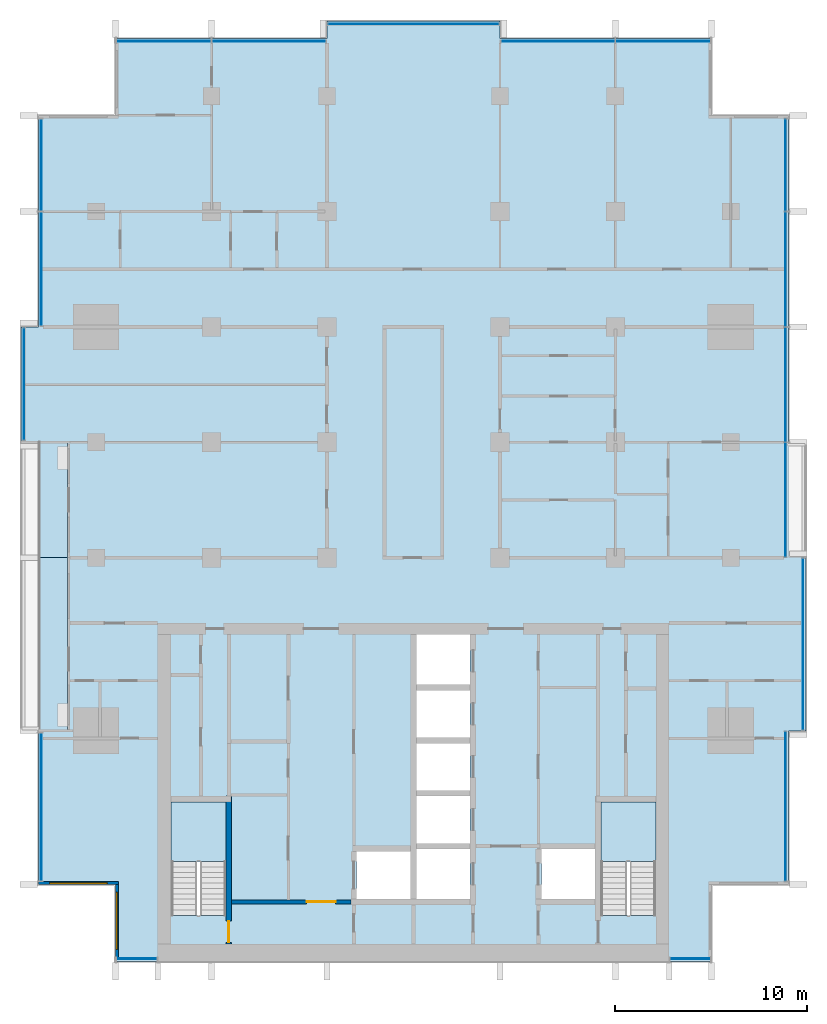
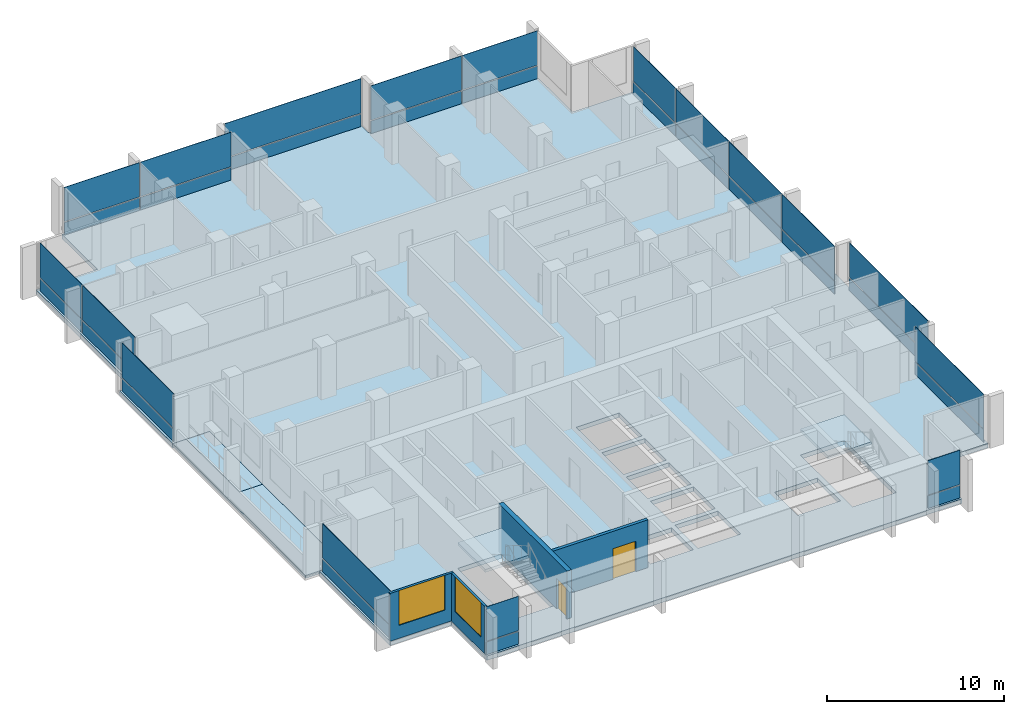
# One storey, part 6 of 16: 34 plates, 5 slabs, 4 walls, 2 doors, 2 windows, 4 openings, 13 elements without a shape of their own.
"""IFC4 building model written with IfcOpenShell, lengths in metres."""

from ifc_helpers import new_model, si_unit, direction, frame, frame_2d, origin, origin_2d, place, context, subcontext, project, spatial, polyline, rectangle, outline, extrude, material, layer, layer_set, type_object, element, fill, aggregate, save


model = new_model("IFC4")

# Units and contexts
model_context = context("Model", 3, precision=1e-05, world=origin(), true_north=direction((0.0, 1.0)))
body_context = subcontext(model_context, "Body", "Model", "MODEL_VIEW")
ifc_project = project(units=[si_unit("LENGTHUNIT", "METRE"), si_unit("AREAUNIT", "SQUARE_METRE"), si_unit("VOLUMEUNIT", "CUBIC_METRE"), si_unit("PLANEANGLEUNIT", "RADIAN"), si_unit("MASSUNIT", "GRAM", prefix="KILO")], contexts=[model_context])

# Site, building, storey
site_placement = place(None, origin())
site = spatial("IfcSite", under=ifc_project, at=site_placement, CompositionType="ELEMENT")
building_placement = place(site_placement, origin())
building = spatial("IfcBuilding", under=site, at=building_placement, Name="Finial Court Residences", CompositionType="ELEMENT")
storey_placement = place(building_placement, frame((0.0, 0.0, 188.89990234375)))
storey = spatial("IfcBuildingStorey", under=building, at=storey_placement, Name="L47", CompositionType="ELEMENT", Elevation=188.89990234375)

# Slabs
ifc_material_1 = material(Name="Concrete C35/45", Category="concrete")
ifc_layer_1 = layer(ifc_material_1, 0.199951171875)
ifc_layer_set_1 = layer_set([ifc_layer_1], Name="Balcony slab, Concrete C35/45 200")
slab_type_1 = type_object("IfcSlabType", Name="Balcony slab, Concrete C35/45 200", PredefinedType="FLOOR", material=ifc_layer_set_1)
slab_1_placement = place(storey_placement, frame((0.0, 0.0, -0.199951171875)))
element("IfcSlab", 1, at=slab_1_placement, inside=storey, type_object=slab_type_1, Name="Balcony L47-W2", PredefinedType="FLOOR", context=body_context, shape_type="SweptSolid", body=[
    extrude(outline(polyline([(-18.0, -4.5), (-18.0, -13.5), (-19.5, -13.5), (-20.39990234375, -13.5), (-20.39990234375, -4.5), (-20.39990234375, 1.5), (-19.5, 1.5), (-19.5, -4.5), (-18.0, -4.5)])), origin(), (0.0, 0.0, 1.0), 0.199951171875),
])
slab_2_placement = place(storey_placement, frame((0.0, 0.0, -0.199951171875)))
element("IfcSlab", 2, at=slab_2_placement, inside=storey, type_object=slab_type_1, Name="Balcony L47-W3", PredefinedType="FLOOR", context=body_context, shape_type="SweptSolid", body=[
    extrude(outline(polyline([(-18.0, -4.5), (-18.0, 1.5), (-19.5, 1.5), (-19.5, -4.5), (-18.0, -4.5)])), origin(), (0.0, 0.0, 1.0), 0.199951171875),
])

# Curtain wall, plates
ifc_material_2 = material(Name="Bronze anodised aluminium", Category="aluminium")
curtain_wall_type = type_object("IfcCurtainWallType", Name="Unitised curtain wall, upper zones", PredefinedType="NOTDEFINED", material=ifc_material_2)
curtain_wall_1_placement = place(storey_placement, origin())
curtain_wall_1 = element("IfcCurtainWall", 3, at=curtain_wall_1_placement, inside=storey, type_object=curtain_wall_type, Name="E-L47-CW-N1", PredefinedType="NOTDEFINED")
ifc_layer_2 = layer(ifc_material_2, 0.035888671875)
ifc_layer_set_2 = layer_set([ifc_layer_2], Name="CW2 spandrel panel 36")
plate_type_1 = type_object("IfcPlateType", Name="CW2 spandrel panel 36", PredefinedType="CURTAIN_PANEL", material=ifc_layer_set_2)
plate_1_placement = place(storey_placement, frame((-12.985107421875, 22.35009765625, 0.0), z_axis=(0.0, 0.0, 1.0), x_axis=(1.0, 0.0, 0.0)))
plate_1 = element("IfcPlate", 4, at=plate_1_placement, type_object=plate_type_1, Name="CW2 spandrel 1.1", PredefinedType="CURTAIN_PANEL", context=body_context, shape_type="SweptSolid", body=[
    extrude(rectangle(XDim=4.909912109375, YDim=0.035888671875, at=origin_2d()), origin(), (0.0, 0.0, 1.0), 0.8701171875),
])
plate_2_placement = place(storey_placement, frame((-7.514892578125, 22.35009765625, 0.0), z_axis=(0.0, 0.0, 1.0), x_axis=(1.0, 0.0, 0.0)))
plate_2 = element("IfcPlate", 5, at=plate_2_placement, type_object=plate_type_1, Name="CW2 spandrel 2.1", PredefinedType="CURTAIN_PANEL", context=body_context, shape_type="SweptSolid", body=[
    extrude(rectangle(XDim=5.909912109375, YDim=0.035888671875, at=origin_2d()), origin(), (0.0, 0.0, 1.0), 0.8701171875),
])

# Curtain wall, plate
curtain_wall_2_placement = place(storey_placement, origin())
curtain_wall_2 = element("IfcCurtainWall", 6, at=curtain_wall_2_placement, inside=storey, type_object=curtain_wall_type, Name="E-L47-CW-N2", PredefinedType="NOTDEFINED")
plate_3_placement = place(storey_placement, frame((0.0, 23.25, 0.0), z_axis=(0.0, 0.0, 1.0), x_axis=(1.0, 0.0, 0.0)))
plate_3 = element("IfcPlate", 7, at=plate_3_placement, type_object=plate_type_1, Name="CW2 spandrel 1.1", PredefinedType="CURTAIN_PANEL", context=body_context, shape_type="SweptSolid", body=[
    extrude(rectangle(XDim=8.8798828125, YDim=0.035888671875, at=origin_2d()), origin(), (0.0, 0.0, 1.0), 0.8701171875),
])

# Curtain wall, plates
curtain_wall_3_placement = place(storey_placement, origin())
curtain_wall_3 = element("IfcCurtainWall", 8, at=curtain_wall_3_placement, inside=storey, type_object=curtain_wall_type, Name="E-L47-CW-N3", PredefinedType="NOTDEFINED")
plate_4_placement = place(storey_placement, frame((7.514892578125, 22.35009765625, 0.0), z_axis=(0.0, 0.0, 1.0), x_axis=(1.0, 0.0, 0.0)))
plate_4 = element("IfcPlate", 9, at=plate_4_placement, type_object=plate_type_1, Name="CW2 spandrel 1.1", PredefinedType="CURTAIN_PANEL", context=body_context, shape_type="SweptSolid", body=[
    extrude(rectangle(XDim=5.909912109375, YDim=0.035888671875, at=origin_2d()), origin(), (0.0, 0.0, 1.0), 0.8701171875),
])
plate_5_placement = place(storey_placement, frame((12.985107421875, 22.35009765625, 0.0), z_axis=(0.0, 0.0, 1.0), x_axis=(1.0, 0.0, 0.0)))
plate_5 = element("IfcPlate", 10, at=plate_5_placement, type_object=plate_type_1, Name="CW2 spandrel 2.1", PredefinedType="CURTAIN_PANEL", context=body_context, shape_type="SweptSolid", body=[
    extrude(rectangle(XDim=4.909912109375, YDim=0.035888671875, at=origin_2d()), origin(), (0.0, 0.0, 1.0), 0.8701171875),
])

# Curtain wall, plate
curtain_wall_4_placement = place(storey_placement, origin())
curtain_wall_4 = element("IfcCurtainWall", 11, at=curtain_wall_4_placement, inside=storey, type_object=curtain_wall_type, Name="E-L47-CW-E4", PredefinedType="NOTDEFINED")
plate_6_placement = place(storey_placement, frame((19.35009765625, -17.425048828125, 0.0), z_axis=(0.0, 0.0, 1.0), x_axis=(0.0, 1.0, 0.0)))
plate_6 = element("IfcPlate", 12, at=plate_6_placement, type_object=plate_type_1, Name="CW2 spandrel 1.1", PredefinedType="CURTAIN_PANEL", context=body_context, shape_type="SweptSolid", body=[
    extrude(rectangle(XDim=7.72998046875, YDim=0.035888671875, at=origin_2d()), origin(), (0.0, 0.0, 1.0), 0.8701171875),
])

curtain_wall_5_placement = place(storey_placement, origin())
curtain_wall_5 = element("IfcCurtainWall", 13, at=curtain_wall_5_placement, inside=storey, type_object=curtain_wall_type, Name="E-L47-CW-E5", PredefinedType="NOTDEFINED")
plate_7_placement = place(storey_placement, frame((20.25, -9.0, 0.0), z_axis=(0.0, 0.0, 1.0), x_axis=(0.0, 1.0, 0.0)))
plate_7 = element("IfcPlate", 14, at=plate_7_placement, type_object=plate_type_1, Name="CW2 spandrel 1.1", PredefinedType="CURTAIN_PANEL", context=body_context, shape_type="SweptSolid", body=[
    extrude(rectangle(XDim=8.8798828125, YDim=0.035888671875, at=origin_2d()), origin(), (0.0, 0.0, 1.0), 0.8701171875),
])

# Curtain wall, plates
curtain_wall_6_placement = place(storey_placement, origin())
curtain_wall_6 = element("IfcCurtainWall", 15, at=curtain_wall_6_placement, inside=storey, type_object=curtain_wall_type, Name="E-L47-CW-E6", PredefinedType="NOTDEFINED")
plate_8_placement = place(storey_placement, frame((19.35009765625, -1.485107421875, 0.0), z_axis=(0.0, 0.0, 1.0), x_axis=(0.0, 1.0, 0.0)))
plate_8 = element("IfcPlate", 16, at=plate_8_placement, type_object=plate_type_1, Name="CW2 spandrel 1.1", PredefinedType="CURTAIN_PANEL", context=body_context, shape_type="SweptSolid", body=[
    extrude(rectangle(XDim=5.909912109375, YDim=0.035888671875, at=origin_2d()), origin(), (0.0, 0.0, 1.0), 0.8701171875),
])
plate_9_placement = place(storey_placement, frame((19.35009765625, 4.5, 0.0), z_axis=(0.0, 0.0, 1.0), x_axis=(0.0, 1.0, 0.0)))
plate_9 = element("IfcPlate", 17, at=plate_9_placement, type_object=plate_type_1, Name="CW2 spandrel 2.1", PredefinedType="CURTAIN_PANEL", context=body_context, shape_type="SweptSolid", body=[
    extrude(rectangle(XDim=5.93994140625, YDim=0.035888671875, at=origin_2d()), origin(), (0.0, 0.0, 1.0), 0.8701171875),
])
plate_10_placement = place(storey_placement, frame((19.35009765625, 10.5, 0.0), z_axis=(0.0, 0.0, 1.0), x_axis=(0.0, 1.0, 0.0)))
plate_10 = element("IfcPlate", 18, at=plate_10_placement, type_object=plate_type_1, Name="CW2 spandrel 3.1", PredefinedType="CURTAIN_PANEL", context=body_context, shape_type="SweptSolid", body=[
    extrude(rectangle(XDim=5.93994140625, YDim=0.035888671875, at=origin_2d()), origin(), (0.0, 0.0, 1.0), 0.8701171875),
])
plate_11_placement = place(storey_placement, frame((19.35009765625, 15.909912109375, 0.0), z_axis=(0.0, 0.0, 1.0), x_axis=(0.0, 1.0, 0.0)))
plate_11 = element("IfcPlate", 19, at=plate_11_placement, type_object=plate_type_1, Name="CW2 spandrel 4.1", PredefinedType="CURTAIN_PANEL", context=body_context, shape_type="SweptSolid", body=[
    extrude(rectangle(XDim=4.760009765625, YDim=0.035888671875, at=origin_2d()), origin(), (0.0, 0.0, 1.0), 0.8701171875),
])

# Curtain wall, plate
curtain_wall_7_placement = place(storey_placement, origin())
curtain_wall_7 = element("IfcCurtainWall", 20, at=curtain_wall_7_placement, inside=storey, type_object=curtain_wall_type, Name="E-L47-CW-S7", PredefinedType="NOTDEFINED")
plate_12_placement = place(storey_placement, frame((-14.39990234375, -25.35009765625, 0.0), z_axis=(0.0, 0.0, 1.0), x_axis=(1.0, 0.0, 0.0)))
plate_12 = element("IfcPlate", 21, at=plate_12_placement, type_object=plate_type_1, Name="CW2 spandrel 1.1", PredefinedType="CURTAIN_PANEL", context=body_context, shape_type="SweptSolid", body=[
    extrude(rectangle(XDim=2.080078125, YDim=0.035888671875, at=origin_2d()), origin(), (0.0, 0.0, 1.0), 0.8701171875),
])

curtain_wall_8_placement = place(storey_placement, origin())
curtain_wall_8 = element("IfcCurtainWall", 22, at=curtain_wall_8_placement, inside=storey, type_object=curtain_wall_type, Name="E-L47-CW-S8", PredefinedType="NOTDEFINED")
plate_13_placement = place(storey_placement, frame((14.39990234375, -25.35009765625, 0.0), z_axis=(0.0, 0.0, 1.0), x_axis=(1.0, 0.0, 0.0)))
plate_13 = element("IfcPlate", 23, at=plate_13_placement, type_object=plate_type_1, Name="CW2 spandrel 1.1", PredefinedType="CURTAIN_PANEL", context=body_context, shape_type="SweptSolid", body=[
    extrude(rectangle(XDim=2.080078125, YDim=0.035888671875, at=origin_2d()), origin(), (0.0, 0.0, 1.0), 0.8701171875),
])

curtain_wall_9_placement = place(storey_placement, origin())
curtain_wall_9 = element("IfcCurtainWall", 24, at=curtain_wall_9_placement, inside=storey, type_object=curtain_wall_type, Name="E-L47-CW-W9", PredefinedType="NOTDEFINED")
plate_14_placement = place(storey_placement, frame((-19.35009765625, -17.46240234375, 0.0), z_axis=(0.0, 0.0, 1.0), x_axis=(0.0, 1.0, 0.0)))
plate_14 = element("IfcPlate", 25, at=plate_14_placement, type_object=plate_type_1, Name="CW2 spandrel 1.1", PredefinedType="CURTAIN_PANEL", context=body_context, shape_type="SweptSolid", body=[
    extrude(rectangle(XDim=7.655029296875, YDim=0.035888671875, at=origin_2d()), origin(), (0.0, 0.0, 1.0), 0.8701171875),
])

curtain_wall_10_placement = place(storey_placement, origin())
curtain_wall_10 = element("IfcCurtainWall", 26, at=curtain_wall_10_placement, inside=storey, type_object=curtain_wall_type, Name="E-L47-CW-W10", PredefinedType="NOTDEFINED")
plate_15_placement = place(storey_placement, frame((-20.25, 4.53759765625, 0.0), z_axis=(0.0, 0.0, 1.0), x_axis=(0.0, 1.0, 0.0)))
plate_15 = element("IfcPlate", 27, at=plate_15_placement, type_object=plate_type_1, Name="CW2 spandrel 1.1", PredefinedType="CURTAIN_PANEL", context=body_context, shape_type="SweptSolid", body=[
    extrude(rectangle(XDim=5.804931640625, YDim=0.035888671875, at=origin_2d()), origin(), (0.0, 0.0, 1.0), 0.8701171875),
])

# Curtain wall, plates
curtain_wall_11_placement = place(storey_placement, origin())
curtain_wall_11 = element("IfcCurtainWall", 28, at=curtain_wall_11_placement, inside=storey, type_object=curtain_wall_type, Name="E-L47-CW-W11", PredefinedType="NOTDEFINED")
plate_16_placement = place(storey_placement, frame((-19.35009765625, 10.514892578125, 0.0), z_axis=(0.0, 0.0, 1.0), x_axis=(0.0, 1.0, 0.0)))
plate_16 = element("IfcPlate", 29, at=plate_16_placement, type_object=plate_type_1, Name="CW2 spandrel 1.1", PredefinedType="CURTAIN_PANEL", context=body_context, shape_type="SweptSolid", body=[
    extrude(rectangle(XDim=5.909912109375, YDim=0.035888671875, at=origin_2d()), origin(), (0.0, 0.0, 1.0), 0.8701171875),
])
plate_17_placement = place(storey_placement, frame((-19.35009765625, 15.909912109375, 0.0), z_axis=(0.0, 0.0, 1.0), x_axis=(0.0, 1.0, 0.0)))
plate_17 = element("IfcPlate", 30, at=plate_17_placement, type_object=plate_type_1, Name="CW2 spandrel 2.1", PredefinedType="CURTAIN_PANEL", context=body_context, shape_type="SweptSolid", body=[
    extrude(rectangle(XDim=4.760009765625, YDim=0.035888671875, at=origin_2d()), origin(), (0.0, 0.0, 1.0), 0.8701171875),
])

# Plate
ifc_material_3 = material(Name="Clear low-e glass", Category="glass")
ifc_layer_3 = layer(ifc_material_3, 0.030029296875)
ifc_layer_set_3 = layer_set([ifc_layer_3], Name="CW2 vision glass 30")
plate_type_2 = type_object("IfcPlateType", Name="CW2 vision glass 30", PredefinedType="CURTAIN_PANEL", material=ifc_layer_set_3)
plate_18_placement = place(storey_placement, frame((-12.985107421875, 22.35009765625, 0.929931640625), z_axis=(0.0, 0.0, 1.0), x_axis=(1.0, 0.0, 0.0)))
plate_18 = element("IfcPlate", 31, at=plate_18_placement, type_object=plate_type_2, Name="CW2 glass 1.2", PredefinedType="CURTAIN_PANEL", context=body_context, shape_type="SweptSolid", body=[
    extrude(rectangle(XDim=4.909912109375, YDim=0.030029296875, at=origin_2d()), origin(), (0.0, 0.0, 1.0), 2.3701171875),
])

plate_19_placement = place(storey_placement, frame((-7.514892578125, 22.35009765625, 0.929931640625), z_axis=(0.0, 0.0, 1.0), x_axis=(1.0, 0.0, 0.0)))
plate_19 = element("IfcPlate", 32, at=plate_19_placement, type_object=plate_type_2, Name="CW2 glass 2.2", PredefinedType="CURTAIN_PANEL", context=body_context, shape_type="SweptSolid", body=[
    extrude(rectangle(XDim=5.909912109375, YDim=0.030029296875, at=origin_2d()), origin(), (0.0, 0.0, 1.0), 2.3701171875),
])

aggregate(curtain_wall_1, [plate_1, plate_18, plate_2, plate_19])

plate_20_placement = place(storey_placement, frame((0.0, 23.25, 0.929931640625), z_axis=(0.0, 0.0, 1.0), x_axis=(1.0, 0.0, 0.0)))
plate_20 = element("IfcPlate", 33, at=plate_20_placement, type_object=plate_type_2, Name="CW2 glass 1.2", PredefinedType="CURTAIN_PANEL", context=body_context, shape_type="SweptSolid", body=[
    extrude(rectangle(XDim=8.8798828125, YDim=0.030029296875, at=origin_2d()), origin(), (0.0, 0.0, 1.0), 2.3701171875),
])

aggregate(curtain_wall_2, [plate_3, plate_20])

plate_21_placement = place(storey_placement, frame((7.514892578125, 22.35009765625, 0.929931640625), z_axis=(0.0, 0.0, 1.0), x_axis=(1.0, 0.0, 0.0)))
plate_21 = element("IfcPlate", 34, at=plate_21_placement, type_object=plate_type_2, Name="CW2 glass 1.2", PredefinedType="CURTAIN_PANEL", context=body_context, shape_type="SweptSolid", body=[
    extrude(rectangle(XDim=5.909912109375, YDim=0.030029296875, at=origin_2d()), origin(), (0.0, 0.0, 1.0), 2.3701171875),
])

plate_22_placement = place(storey_placement, frame((12.985107421875, 22.35009765625, 0.929931640625), z_axis=(0.0, 0.0, 1.0), x_axis=(1.0, 0.0, 0.0)))
plate_22 = element("IfcPlate", 35, at=plate_22_placement, type_object=plate_type_2, Name="CW2 glass 2.2", PredefinedType="CURTAIN_PANEL", context=body_context, shape_type="SweptSolid", body=[
    extrude(rectangle(XDim=4.909912109375, YDim=0.030029296875, at=origin_2d()), origin(), (0.0, 0.0, 1.0), 2.3701171875),
])

aggregate(curtain_wall_3, [plate_4, plate_21, plate_5, plate_22])

plate_23_placement = place(storey_placement, frame((19.35009765625, -17.425048828125, 0.929931640625), z_axis=(0.0, 0.0, 1.0), x_axis=(0.0, 1.0, 0.0)))
plate_23 = element("IfcPlate", 36, at=plate_23_placement, type_object=plate_type_2, Name="CW2 glass 1.2", PredefinedType="CURTAIN_PANEL", context=body_context, shape_type="SweptSolid", body=[
    extrude(rectangle(XDim=7.72998046875, YDim=0.030029296875, at=origin_2d()), origin(), (0.0, 0.0, 1.0), 2.3701171875),
])

aggregate(curtain_wall_4, [plate_6, plate_23])

plate_24_placement = place(storey_placement, frame((20.25, -9.0, 0.929931640625), z_axis=(0.0, 0.0, 1.0), x_axis=(0.0, 1.0, 0.0)))
plate_24 = element("IfcPlate", 37, at=plate_24_placement, type_object=plate_type_2, Name="CW2 glass 1.2", PredefinedType="CURTAIN_PANEL", context=body_context, shape_type="SweptSolid", body=[
    extrude(rectangle(XDim=8.8798828125, YDim=0.030029296875, at=origin_2d()), origin(), (0.0, 0.0, 1.0), 2.3701171875),
])

aggregate(curtain_wall_5, [plate_7, plate_24])

plate_25_placement = place(storey_placement, frame((19.35009765625, -1.485107421875, 0.929931640625), z_axis=(0.0, 0.0, 1.0), x_axis=(0.0, 1.0, 0.0)))
plate_25 = element("IfcPlate", 38, at=plate_25_placement, type_object=plate_type_2, Name="CW2 glass 1.2", PredefinedType="CURTAIN_PANEL", context=body_context, shape_type="SweptSolid", body=[
    extrude(rectangle(XDim=5.909912109375, YDim=0.030029296875, at=origin_2d()), origin(), (0.0, 0.0, 1.0), 2.3701171875),
])

plate_26_placement = place(storey_placement, frame((19.35009765625, 4.5, 0.929931640625), z_axis=(0.0, 0.0, 1.0), x_axis=(0.0, 1.0, 0.0)))
plate_26 = element("IfcPlate", 39, at=plate_26_placement, type_object=plate_type_2, Name="CW2 glass 2.2", PredefinedType="CURTAIN_PANEL", context=body_context, shape_type="SweptSolid", body=[
    extrude(rectangle(XDim=5.93994140625, YDim=0.030029296875, at=origin_2d()), origin(), (0.0, 0.0, 1.0), 2.3701171875),
])

plate_27_placement = place(storey_placement, frame((19.35009765625, 10.5, 0.929931640625), z_axis=(0.0, 0.0, 1.0), x_axis=(0.0, 1.0, 0.0)))
plate_27 = element("IfcPlate", 40, at=plate_27_placement, type_object=plate_type_2, Name="CW2 glass 3.2", PredefinedType="CURTAIN_PANEL", context=body_context, shape_type="SweptSolid", body=[
    extrude(rectangle(XDim=5.93994140625, YDim=0.030029296875, at=origin_2d()), origin(), (0.0, 0.0, 1.0), 2.3701171875),
])

plate_28_placement = place(storey_placement, frame((19.35009765625, 15.909912109375, 0.929931640625), z_axis=(0.0, 0.0, 1.0), x_axis=(0.0, 1.0, 0.0)))
plate_28 = element("IfcPlate", 41, at=plate_28_placement, type_object=plate_type_2, Name="CW2 glass 4.2", PredefinedType="CURTAIN_PANEL", context=body_context, shape_type="SweptSolid", body=[
    extrude(rectangle(XDim=4.760009765625, YDim=0.030029296875, at=origin_2d()), origin(), (0.0, 0.0, 1.0), 2.3701171875),
])

aggregate(curtain_wall_6, [plate_8, plate_25, plate_9, plate_26, plate_10, plate_27, plate_11, plate_28])

plate_29_placement = place(storey_placement, frame((-14.39990234375, -25.35009765625, 0.929931640625), z_axis=(0.0, 0.0, 1.0), x_axis=(1.0, 0.0, 0.0)))
plate_29 = element("IfcPlate", 42, at=plate_29_placement, type_object=plate_type_2, Name="CW2 glass 1.2", PredefinedType="CURTAIN_PANEL", context=body_context, shape_type="SweptSolid", body=[
    extrude(rectangle(XDim=2.080078125, YDim=0.030029296875, at=origin_2d()), origin(), (0.0, 0.0, 1.0), 2.3701171875),
])

aggregate(curtain_wall_7, [plate_12, plate_29])

plate_30_placement = place(storey_placement, frame((14.39990234375, -25.35009765625, 0.929931640625), z_axis=(0.0, 0.0, 1.0), x_axis=(1.0, 0.0, 0.0)))
plate_30 = element("IfcPlate", 43, at=plate_30_placement, type_object=plate_type_2, Name="CW2 glass 1.2", PredefinedType="CURTAIN_PANEL", context=body_context, shape_type="SweptSolid", body=[
    extrude(rectangle(XDim=2.080078125, YDim=0.030029296875, at=origin_2d()), origin(), (0.0, 0.0, 1.0), 2.3701171875),
])

aggregate(curtain_wall_8, [plate_13, plate_30])

plate_31_placement = place(storey_placement, frame((-19.35009765625, -17.46240234375, 0.929931640625), z_axis=(0.0, 0.0, 1.0), x_axis=(0.0, 1.0, 0.0)))
plate_31 = element("IfcPlate", 44, at=plate_31_placement, type_object=plate_type_2, Name="CW2 glass 1.2", PredefinedType="CURTAIN_PANEL", context=body_context, shape_type="SweptSolid", body=[
    extrude(rectangle(XDim=7.655029296875, YDim=0.030029296875, at=origin_2d()), origin(), (0.0, 0.0, 1.0), 2.3701171875),
])

aggregate(curtain_wall_9, [plate_14, plate_31])

plate_32_placement = place(storey_placement, frame((-20.25, 4.53759765625, 0.929931640625), z_axis=(0.0, 0.0, 1.0), x_axis=(0.0, 1.0, 0.0)))
plate_32 = element("IfcPlate", 45, at=plate_32_placement, type_object=plate_type_2, Name="CW2 glass 1.2", PredefinedType="CURTAIN_PANEL", context=body_context, shape_type="SweptSolid", body=[
    extrude(rectangle(XDim=5.804931640625, YDim=0.030029296875, at=origin_2d()), origin(), (0.0, 0.0, 1.0), 2.3701171875),
])

aggregate(curtain_wall_10, [plate_15, plate_32])

plate_33_placement = place(storey_placement, frame((-19.35009765625, 10.514892578125, 0.929931640625), z_axis=(0.0, 0.0, 1.0), x_axis=(0.0, 1.0, 0.0)))
plate_33 = element("IfcPlate", 46, at=plate_33_placement, type_object=plate_type_2, Name="CW2 glass 1.2", PredefinedType="CURTAIN_PANEL", context=body_context, shape_type="SweptSolid", body=[
    extrude(rectangle(XDim=5.909912109375, YDim=0.030029296875, at=origin_2d()), origin(), (0.0, 0.0, 1.0), 2.3701171875),
])

plate_34_placement = place(storey_placement, frame((-19.35009765625, 15.909912109375, 0.929931640625), z_axis=(0.0, 0.0, 1.0), x_axis=(0.0, 1.0, 0.0)))
plate_34 = element("IfcPlate", 47, at=plate_34_placement, type_object=plate_type_2, Name="CW2 glass 2.2", PredefinedType="CURTAIN_PANEL", context=body_context, shape_type="SweptSolid", body=[
    extrude(rectangle(XDim=4.760009765625, YDim=0.030029296875, at=origin_2d()), origin(), (0.0, 0.0, 1.0), 2.3701171875),
])

aggregate(curtain_wall_11, [plate_16, plate_33, plate_17, plate_34])

# Stair, slab
ifc_material_4 = material(Name="Concrete C50/60", Category="concrete")
stair_type = type_object("IfcStairType", Name="Exit stair 22 risers of 163.6 mm", PredefinedType="HALF_TURN_STAIR", material=ifc_material_4)
stair_1_placement = place(storey_placement, origin())
stair_1 = element("IfcStair", 48, at=stair_1_placement, inside=storey, type_object=stair_type, Name="L47 Exit stair ST-1", PredefinedType="HALF_TURN_STAIR")
ifc_layer_4 = layer(ifc_material_4, 0.199951171875)
ifc_layer_set_4 = layer_set([ifc_layer_4], Name="Exit stair landing")
slab_type_2 = type_object("IfcSlabType", Name="Exit stair landing", PredefinedType="LANDING", material=ifc_layer_set_4)
slab_3_placement = place(storey_placement, frame((0.0, 0.0, 1.60009765625)))
slab_3 = element("IfcSlab", 49, at=slab_3_placement, type_object=slab_type_2, Name="ST-1 landing 1", PredefinedType="LANDING", context=body_context, shape_type="SweptSolid", body=[
    extrude(outline(polyline([(-9.75, -20.300048828125), (-9.75, -17.199951171875), (-12.60009765625, -17.199951171875), (-12.60009765625, -20.300048828125), (-9.75, -20.300048828125)])), origin(), (0.0, 0.0, 1.0), 0.199951171875),
])
aggregate(stair_1, [slab_3])

stair_2_placement = place(storey_placement, origin())
stair_2 = element("IfcStair", 50, at=stair_2_placement, inside=storey, type_object=stair_type, Name="L47 Exit stair ST-2", PredefinedType="HALF_TURN_STAIR")
slab_4_placement = place(storey_placement, frame((0.0, 0.0, 1.60009765625)))
slab_4 = element("IfcSlab", 51, at=slab_4_placement, type_object=slab_type_2, Name="ST-2 landing 1", PredefinedType="LANDING", context=body_context, shape_type="SweptSolid", body=[
    extrude(outline(polyline([(12.60009765625, -20.300048828125), (12.60009765625, -17.199951171875), (9.75, -17.199951171875), (9.75, -20.300048828125), (12.60009765625, -20.300048828125)])), origin(), (0.0, 0.0, 1.0), 0.199951171875),
])
aggregate(stair_2, [slab_4])

# Slab
ifc_material_5 = material(Name="Concrete C40/50", Category="concrete")
ifc_layer_5 = layer(ifc_material_5, 0.300048828125)
ifc_layer_set_5 = layer_set([ifc_layer_5], Name="Flat plate slab 300 Concrete C40/50")
slab_type_3 = type_object("IfcSlabType", Name="Flat plate slab 300 Concrete C40/50", PredefinedType="FLOOR", material=ifc_layer_set_5)
slab_5_placement = place(storey_placement, frame((0.0, 0.0, -0.2998046875)))
element("IfcSlab", 52, at=slab_5_placement, inside=storey, type_object=slab_type_3, Name="S:SLAB:L47", PredefinedType="FLOOR", context=body_context, shape_type="SweptSolid", body=[
    extrude(outline(polyline([(20.39990234375, 1.5), (20.39990234375, -4.5), (20.39990234375, -13.5), (19.5, -13.5), (19.5, -21.5), (15.5, -21.5), (15.5, -25.5), (-15.5, -25.5), (-15.5, -21.5), (-19.5, -21.5), (-19.5, -13.5), (-18.0, -13.5), (-18.0, -4.5), (-18.0, 1.5), (-19.5, 1.5), (-20.39990234375, 1.5), (-20.39990234375, 7.5), (-19.5, 7.5), (-19.5, 18.5), (-15.5, 18.5), (-15.5, 22.5), (-4.5, 22.5), (-4.5, 23.39990234375), (4.5, 23.39990234375), (4.5, 22.5), (15.5, 22.5), (15.5, 18.5), (19.5, 18.5), (19.5, 1.5), (20.39990234375, 1.5)]), holes=[polyline([(-0.14990234375, -19.77001953125), (-2.949951171875, -19.77001953125), (-2.949951171875, -22.25), (-0.14990234375, -22.25), (-0.14990234375, -19.77001953125)]), polyline([(2.949951171875, -19.64990234375), (0.14990234375, -19.64990234375), (0.14990234375, -22.25), (2.949951171875, -22.25), (2.949951171875, -19.64990234375)]), polyline([(9.449951171875, -19.64990234375), (6.64990234375, -19.64990234375), (6.64990234375, -22.25), (9.449951171875, -22.25), (9.449951171875, -19.64990234375)]), polyline([(-12.60009765625, -17.199951171875), (-12.60009765625, -23.09912109375), (-9.75, -23.09912109375), (-9.75, -17.199951171875), (-12.60009765625, -17.199951171875)]), polyline([(9.75, -17.199951171875), (9.75, -23.09912109375), (12.60009765625, -23.09912109375), (12.60009765625, -17.199951171875), (9.75, -17.199951171875)]), polyline([(2.949951171875, -16.89990234375), (0.14990234375, -16.89990234375), (0.14990234375, -19.35009765625), (2.949951171875, -19.35009765625), (2.949951171875, -16.89990234375)]), polyline([(2.949951171875, -14.14990234375), (0.14990234375, -14.14990234375), (0.14990234375, -16.60009765625), (2.949951171875, -16.60009765625), (2.949951171875, -14.14990234375)]), polyline([(2.949951171875, -13.85009765625), (2.949951171875, -11.39990234375), (0.14990234375, -11.39990234375), (0.14990234375, -13.85009765625), (2.949951171875, -13.85009765625)]), polyline([(2.949951171875, -11.10009765625), (2.949951171875, -8.5), (0.14990234375, -8.5), (0.14990234375, -11.10009765625), (2.949951171875, -11.10009765625)])]), origin(), (0.0, 0.0, 1.0), 0.2998046875),
])

# Wall, opening, door
ifc_material_6 = material(Name="Concrete C70/85", Category="concrete")
ifc_layer_6 = layer(ifc_material_6, 0.300048828125)
ifc_layer_set_6 = layer_set([ifc_layer_6], Name="Lift shaft and stair wall 300 Concrete C70/85")
wall_type_1 = type_object("IfcWallType", Name="Lift shaft and stair wall 300 Concrete C70/85", PredefinedType="SHEAR", material=ifc_layer_set_6)
wall_1_placement = place(storey_placement, frame((-9.60009765625, -24.60009765625, 0.0), z_axis=(0.0, 0.0, 1.0), x_axis=(0.0, 1.0, 0.0)))
wall_1 = element("IfcWall", 53, at=wall_1_placement, inside=storey, type_object=wall_type_1, Name="Core wall L47-20", PredefinedType="SHEAR", context=body_context, shape_type="SweptSolid", body=[
    extrude(rectangle(XDim=7.7001953125, YDim=0.300048828125, at=frame_2d((3.85009765625, 0.0))), origin(), (0.0, 0.0, 1.0), 3.300048828125),
])
opening_1_placement = place(wall_1_placement, frame((0.10009765625, 0.0, 0.0)))
opening_1 = element("IfcOpeningElement", 54, at=opening_1_placement, cuts=wall_1, Name="Opening L47-C20", PredefinedType="OPENING", context=body_context, shape_type="SweptSolid", body=[
    extrude(rectangle(XDim=1.10009765625, YDim=2.10009765625, at=frame_2d((0.550048828125, 1.050048828125))), frame((0.0, 0.159912109375, 0.0), z_axis=(0.0, -1.0, 0.0), x_axis=(1.0, 0.0, 0.0)), (0.0, 0.0, 1.0), 0.320068359375),
])
ifc_material_7 = material(Name="Steel fire door", Category="steel")
door_type_1 = type_object("IfcDoorType", Name="Stair door 1100 x 2100 EI 90", OperationType="NOTDEFINED", PredefinedType="DOOR", material=ifc_material_7)
door_1_placement = place(opening_1_placement, origin())
door_1 = element("IfcDoor", 55, at=door_1_placement, inside=storey, type_object=door_type_1, Name="Stair door L47-C20", OperationType="SINGLE_SWING_LEFT", OverallHeight=2.10009765625, OverallWidth=1.10009765625, PredefinedType="DOOR", context=body_context, shape_type="SweptSolid", body=[
    extrude(rectangle(XDim=1.10009765625, YDim=2.10009765625, at=frame_2d((0.550048828125, 1.050048828125))), frame((0.0, 0.02490234375, 0.0), z_axis=(0.0, -1.0, 0.0), x_axis=(1.0, 0.0, 0.0)), (0.0, 0.0, 1.0), 0.050048828125),
])
fill(opening_1, door_1)

# Wall, opening, window
ifc_material_8 = material(Name="Natural limestone", Category="masonry")
ifc_layer_7 = layer(ifc_material_8, 0.14990234375)
ifc_layer_set_7 = layer_set([ifc_layer_7], Name="Limestone clad wall 150")
wall_type_2 = type_object("IfcWallType", Name="Limestone clad wall 150", PredefinedType="SOLIDWALL", material=ifc_layer_set_7)
wall_2_placement = place(storey_placement, frame((-15.425048828125, -25.262451171875, 0.0), z_axis=(0.0, 0.0, 1.0), x_axis=(0.0, 1.0, 0.0)))
wall_2 = element("IfcWall", 56, at=wall_2_placement, inside=storey, type_object=wall_type_2, Name="E-L47-NWW12", PredefinedType="SOLIDWALL", context=body_context, shape_type="SweptSolid", body=[
    extrude(rectangle(XDim=3.762451171875, YDim=0.14990234375, at=frame_2d((1.88134765625, 0.0))), origin(), (0.0, 0.0, 1.0), 3.300048828125),
])
opening_2_placement = place(wall_2_placement, frame((0.401123046875, 0.0, 0.89990234375)))
opening_2 = element("IfcOpeningElement", 57, at=opening_2_placement, cuts=wall_2, Name="Opening WE47-01", PredefinedType="OPENING", context=body_context, shape_type="SweptSolid", body=[
    extrude(rectangle(XDim=2.9599609375, YDim=2.39990234375, at=frame_2d((1.47998046875, 1.199951171875))), frame((0.0, 0.0849609375, 0.0), z_axis=(0.0, -1.0, 0.0), x_axis=(1.0, 0.0, 0.0)), (0.0, 0.0, 1.0), 0.169921875),
])
window_type_1 = type_object("IfcWindowType", Name="Corner window 2960 x 2400", PartitioningType="SINGLE_PANEL", PredefinedType="WINDOW", material=ifc_material_3)
window_1_placement = place(opening_2_placement, origin())
window_1 = element("IfcWindow", 58, at=window_1_placement, inside=storey, type_object=window_type_1, Name="E-L47-NWW12-W1", OverallHeight=2.39990234375, OverallWidth=2.9599609375, PartitioningType="SINGLE_PANEL", PredefinedType="WINDOW", context=body_context, shape_type="SweptSolid", body=[
    extrude(rectangle(XDim=2.9599609375, YDim=2.39990234375, at=frame_2d((1.47998046875, 1.199951171875))), frame((0.0, 0.030029296875, 0.0), z_axis=(0.0, -1.0, 0.0), x_axis=(1.0, 0.0, 0.0)), (0.0, 0.0, 1.0), 0.06005859375),
])
fill(opening_2, window_1)

wall_3_placement = place(storey_placement, frame((-15.35009765625, -21.425048828125, 0.0), z_axis=(0.0, 0.0, 1.0), x_axis=(-1.0, 0.0, 0.0)))
wall_3 = element("IfcWall", 59, at=wall_3_placement, inside=storey, type_object=wall_type_2, Name="E-L47-NWS13", PredefinedType="SOLIDWALL", context=body_context, shape_type="SweptSolid", body=[
    extrude(rectangle(XDim=4.14990234375, YDim=0.14990234375, at=frame_2d((2.074951171875, 0.0))), origin(), (0.0, 0.0, 1.0), 3.300048828125),
])
opening_3_placement = place(wall_3_placement, frame((0.574951171875, 0.0, 0.89990234375)))
opening_3 = element("IfcOpeningElement", 60, at=opening_3_placement, cuts=wall_3, Name="Opening WE47-02", PredefinedType="OPENING", context=body_context, shape_type="SweptSolid", body=[
    extrude(rectangle(XDim=3.0, YDim=2.39990234375, at=frame_2d((1.5, 1.199951171875))), frame((0.0, 0.0849609375, 0.0), z_axis=(0.0, -1.0, 0.0), x_axis=(1.0, 0.0, 0.0)), (0.0, 0.0, 1.0), 0.169921875),
])
window_type_2 = type_object("IfcWindowType", Name="Corner window 3000 x 2400", PartitioningType="SINGLE_PANEL", PredefinedType="WINDOW", material=ifc_material_3)
window_2_placement = place(opening_3_placement, origin())
window_2 = element("IfcWindow", 61, at=window_2_placement, inside=storey, type_object=window_type_2, Name="E-L47-NWS13-W1", OverallHeight=2.39990234375, OverallWidth=3.0, PartitioningType="SINGLE_PANEL", PredefinedType="WINDOW", context=body_context, shape_type="SweptSolid", body=[
    extrude(rectangle(XDim=3.0, YDim=2.39990234375, at=frame_2d((1.5, 1.199951171875))), frame((0.0, 0.030029296875, 0.0), z_axis=(0.0, -1.0, 0.0), x_axis=(1.0, 0.0, 0.0)), (0.0, 0.0, 1.0), 0.06005859375),
])
fill(opening_3, window_2)

# Wall, opening, door
ifc_material_9 = material(Name="Fire-rated gypsum board partition")
ifc_layer_8 = layer(ifc_material_9, 0.199951171875)
ifc_layer_set_8 = layer_set([ifc_layer_8], Name="Stair passage wall 200 EI 180")
wall_type_3 = type_object("IfcWallType", Name="Stair passage wall 200 EI 180", PredefinedType="PARTITIONING", material=ifc_layer_set_8)
wall_4_placement = place(storey_placement, frame((-3.25, -22.39990234375, 0.0), z_axis=(0.0, 0.0, 1.0), x_axis=(-1.0, 0.0, 0.0)))
wall_4 = element("IfcWall", 62, at=wall_4_placement, inside=storey, type_object=wall_type_3, Name="Core partition L47-01", PredefinedType="PARTITIONING", context=body_context, shape_type="SweptSolid", body=[
    extrude(rectangle(XDim=6.199951171875, YDim=0.199951171875, at=frame_2d((3.10009765625, 0.0))), origin(), (0.0, 0.0, 1.0), 3.300048828125),
])
opening_4_placement = place(wall_4_placement, frame((0.800048828125, 0.0, 0.0)))
opening_4 = element("IfcOpeningElement", 63, at=opening_4_placement, cuts=wall_4, Name="Opening L47-C03", PredefinedType="OPENING", context=body_context, shape_type="SweptSolid", body=[
    extrude(rectangle(XDim=1.5, YDim=2.10009765625, at=frame_2d((0.75, 1.050048828125))), frame((0.0, 0.10986328125, 0.0), z_axis=(0.0, -1.0, 0.0), x_axis=(1.0, 0.0, 0.0)), (0.0, 0.0, 1.0), 0.219970703125),
])
door_type_2 = type_object("IfcDoorType", Name="Lift lobby door 1500 x 2100 EI 60", OperationType="DOUBLE_DOOR_SINGLE_SWING", PredefinedType="DOOR", material=ifc_material_7)
door_2_placement = place(opening_4_placement, origin())
door_2 = element("IfcDoor", 64, at=door_2_placement, inside=storey, type_object=door_type_2, Name="Lift lobby door L47-C03", OperationType="DOUBLE_DOOR_SINGLE_SWING", OverallHeight=2.10009765625, OverallWidth=1.5, PredefinedType="DOOR", context=body_context, shape_type="SweptSolid", body=[
    extrude(rectangle(XDim=1.5, YDim=2.10009765625, at=frame_2d((0.75, 1.050048828125))), frame((0.0, 0.02490234375, 0.0), z_axis=(0.0, -1.0, 0.0), x_axis=(1.0, 0.0, 0.0)), (0.0, 0.0, 1.0), 0.050048828125),
])
fill(opening_4, door_2)

save(model, "model.ifc")
